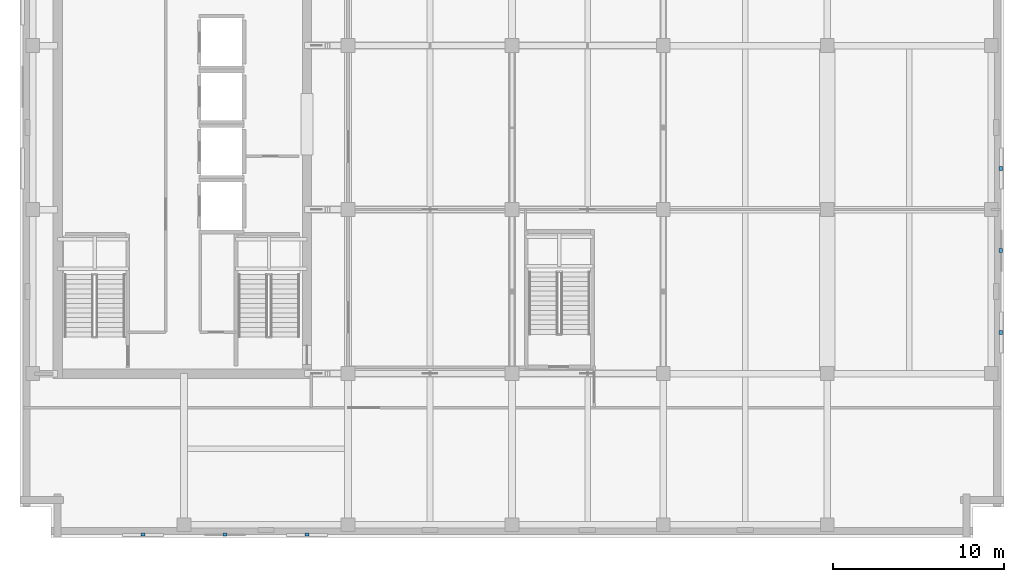
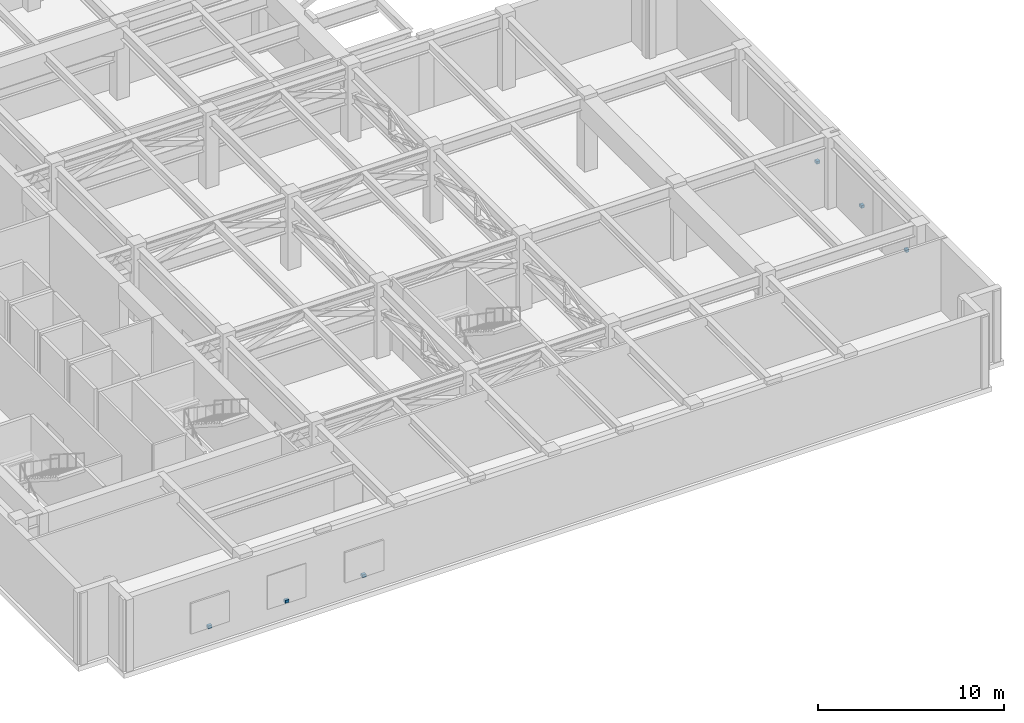
# One storey, part 15 of 19: 6 discrete accessories.
"""IFC4 building model written with IfcOpenShell, lengths in metres."""

from ifc_helpers import new_model, si_unit, direction, frame, origin, origin_2d, place, context, subcontext, project, spatial, rectangle, extrude, material, type_object, element, save


model = new_model("IFC4")

# Units and contexts
model_context = context("Model", 3, precision=1e-05, world=origin(), true_north=direction((0.0, 1.0)))
body_context = subcontext(model_context, "Body", "Model", "MODEL_VIEW")
ifc_project = project(units=[si_unit("LENGTHUNIT", "METRE"), si_unit("AREAUNIT", "SQUARE_METRE"), si_unit("VOLUMEUNIT", "CUBIC_METRE"), si_unit("PLANEANGLEUNIT", "RADIAN"), si_unit("MASSUNIT", "GRAM", prefix="KILO")], contexts=[model_context])

# Site, building, storey
site_placement = place(None, origin())
site = spatial("IfcSite", under=ifc_project, at=site_placement, CompositionType="ELEMENT")
building_placement = place(site_placement, origin())
building = spatial("IfcBuilding", under=site, at=building_placement, Name="Norrvale University Quadrangle", CompositionType="ELEMENT")
storey_placement = place(building_placement, frame((0.0, 0.0, 256.0)))
storey = spatial("IfcBuildingStorey", under=building, at=storey_placement, Name="L65", CompositionType="ELEMENT", Elevation=256.0)

# Discrete accessories
ifc_material = material(Name="Stainless Steel 316L", Category="steel")
discrete_accessory_type = type_object("IfcDiscreteAccessoryType", Name="Accessory Stainless Bracket", PredefinedType="BRACKET", material=ifc_material)
for number, where, z_axis, x_axis, name in (
    (1, (7.199951171875, 0.179931640625, 1.06005859375), (0.0, 0.0, 1.0), (1.0, 0.0, 0.0), "Stainless Facade Shelf Bracket 023"),
    (2, (12.0, 0.179931640625, 1.06005859375), (0.0, 0.0, 1.0), (1.0, 0.0, 0.0), "Stainless Facade Shelf Bracket 024"),
    (3, (16.800048828125, 0.179931640625, 1.06005859375), (0.0, 0.0, 1.0), (1.0, 0.0, 0.0), "Stainless Facade Shelf Bracket 025"),
    (4, (57.419921875, 12.0, 1.06005859375), (0.0, 0.0, 1.0), (0.0, 1.0, 0.0), "Stainless Facade Shelf Bracket 026"),
    (5, (57.419921875, 16.800048828125, 1.06005859375), (0.0, 0.0, 1.0), (0.0, 1.0, 0.0), "Stainless Facade Shelf Bracket 027"),
    (6, (57.419921875, 21.60009765625, 1.06005859375), (0.0, 0.0, 1.0), (0.0, 1.0, 0.0), "Stainless Facade Shelf Bracket 028"),
):
    element("IfcDiscreteAccessory", number, at=place(storey_placement, frame(where, z_axis=z_axis, x_axis=x_axis)), inside=storey, type_object=discrete_accessory_type, Name=name, PredefinedType="BRACKET", context=body_context, shape_type="SweptSolid", body=[
        extrude(rectangle(XDim=0.239990234375, YDim=0.199951171875, at=origin_2d()), origin(), (0.0, 0.0, 1.0), 0.179931640625),
    ])

save(model, "model.ifc")
